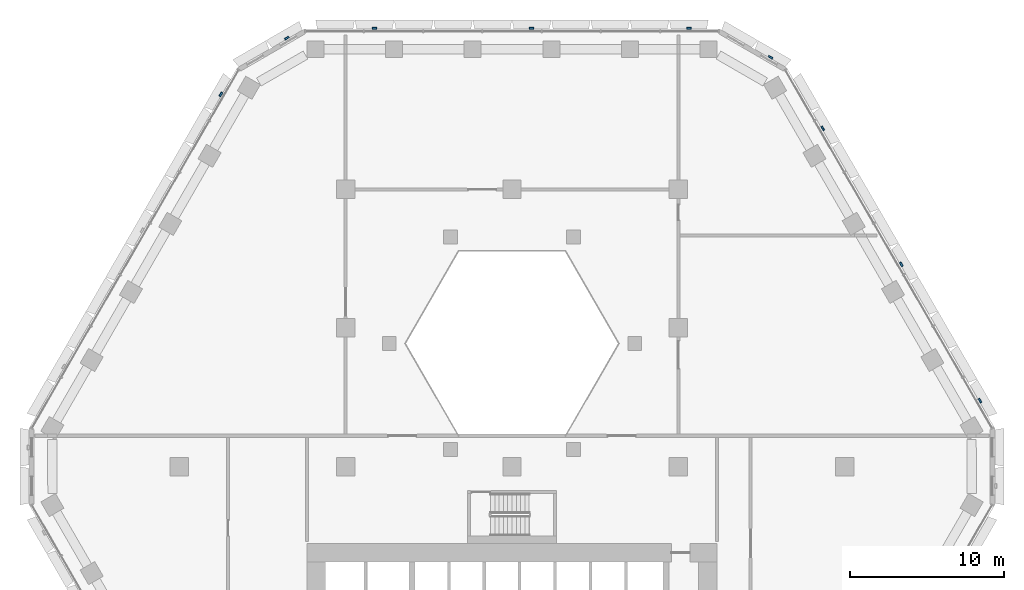
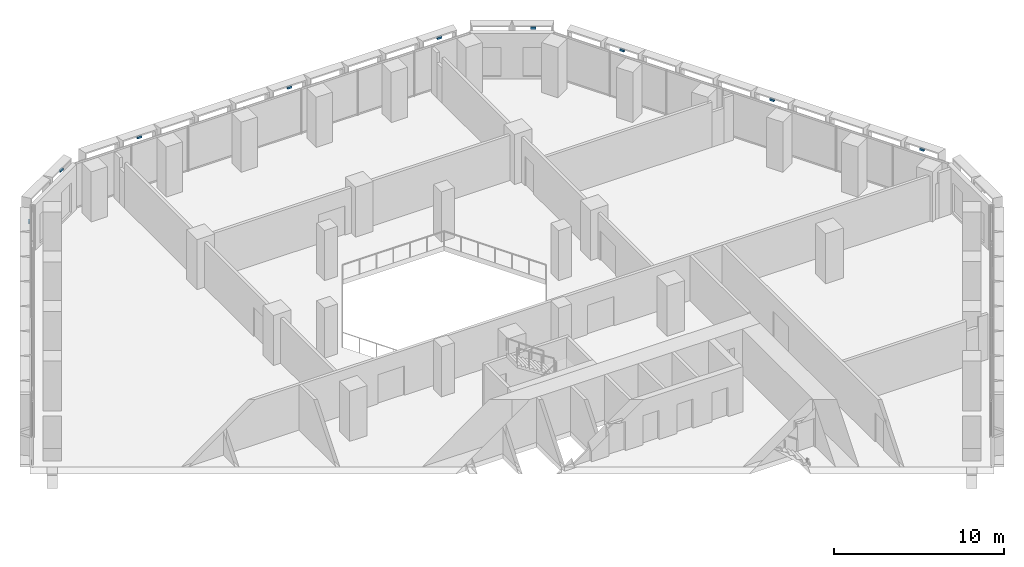
# One storey, part 17 of 25: 9 discrete accessories.
"""IFC4 building model written with IfcOpenShell, lengths in metres."""

from ifc_helpers import new_model, si_unit, direction, frame, origin, place, context, subcontext, project, spatial, polyline, outline, extrude, source, transform, mapped, material, type_object, type_shapes, element, save


model = new_model("IFC4")

# Units and contexts
model_context = context("Model", 3, precision=1e-05, world=origin(), true_north=direction((0.0, 1.0)))
body_context = subcontext(model_context, "Body", "Model", "MODEL_VIEW")
ifc_project = project(units=[si_unit("LENGTHUNIT", "METRE"), si_unit("AREAUNIT", "SQUARE_METRE"), si_unit("VOLUMEUNIT", "CUBIC_METRE"), si_unit("PLANEANGLEUNIT", "RADIAN"), si_unit("MASSUNIT", "GRAM", prefix="KILO")], contexts=[model_context])

# Site, building, storey
site_placement = place(None, origin())
site = spatial("IfcSite", under=ifc_project, at=site_placement, CompositionType="ELEMENT")
building_placement = place(site_placement, origin())
building = spatial("IfcBuilding", under=site, at=building_placement, Name="Beryl Residences", CompositionType="ELEMENT")
storey_placement = place(building_placement, frame((0.0, 0.0, 16.199951171875)))
storey = spatial("IfcBuildingStorey", under=building, at=storey_placement, Name="L04", CompositionType="ELEMENT", Elevation=16.199951171875)

# Discrete accessories
ifc_material = material(Name="Steel S355", Category="steel")
discrete_accessory_type = type_object("IfcDiscreteAccessoryType", Name="BR1 frame bracket 300 x 120 x 150 mm", PredefinedType="BRACKET", material=ifc_material)
shared_shape = source(origin(), body_context, "Body", "SweptSolid", [
    extrude(outline(polyline([(-0.14990234375, 0.0), (0.14990234375, 0.0), (0.14990234375, 0.1201171875), (-0.14990234375, 0.1201171875), (-0.14990234375, 0.0)])), origin(), (0.0, 0.0, 1.0), 0.14990234375),
])
type_shapes(discrete_accessory_type, [shared_shape])
for number, where, z_axis, x_axis, name in (
    (1, (11.48291015625, 28.39990234375, 3.35009765625), (0.0, 0.0, 1.0), (1.0, 0.0, 0.0), "BR1 bracket L04 N 1"),
    (2, (1.27490234375, 28.39990234375, 3.35009765625), (0.0, 0.0, 1.0), (1.0, 0.0, 0.0), "BR1 bracket L04 N 5"),
    (3, (-8.93310546875, 28.39990234375, 3.35009765625), (0.0, 0.0, 1.0), (1.0, 0.0, 0.0), "BR1 bracket L04 N 9"),
    (4, (-14.593017578125, 27.77490234375, 3.35009765625), (0.0, 0.0, 1.0), (0.866025403784, 0.5, 0.0), "BR1 bracket L04 N-NW 1"),
    (5, (-18.85400390625, 24.14501953125, 3.35009765625), (0.0, 0.0, 1.0), (0.5, 0.866025403784, 0.0), "BR1 bracket L04 NW 1"),
    (6, (30.3359375, 4.2548828125, 3.35009765625), (0.0, 0.0, 1.0), (0.5, -0.866025403784, 0.0), "BR1 bracket L04 NE 1"),
    (7, (25.23193359375, 13.095947265625, 3.35009765625), (0.0, 0.0, 1.0), (0.5, -0.866025403784, 0.0), "BR1 bracket L04 NE 5"),
    (8, (20.12890625, 21.93603515625, 3.35009765625), (0.0, 0.0, 1.0), (0.5, -0.866025403784, 0.0), "BR1 bracket L04 NE 9"),
    (9, (16.758056640625, 26.52490234375, 3.35009765625), (0.0, 0.0, 1.0), (0.866025403784, -0.5, 0.0), "BR1 bracket L04 NE-N 1"),
):
    element("IfcDiscreteAccessory", number, at=place(storey_placement, frame(where, z_axis=z_axis, x_axis=x_axis)), inside=storey, type_object=discrete_accessory_type, Name=name, PredefinedType="BRACKET", context=body_context, shape_type="MappedRepresentation", body=[
        mapped(shared_shape, transform((0.0, 0.0, 0.0))),
    ])

save(model, "model.ifc")
